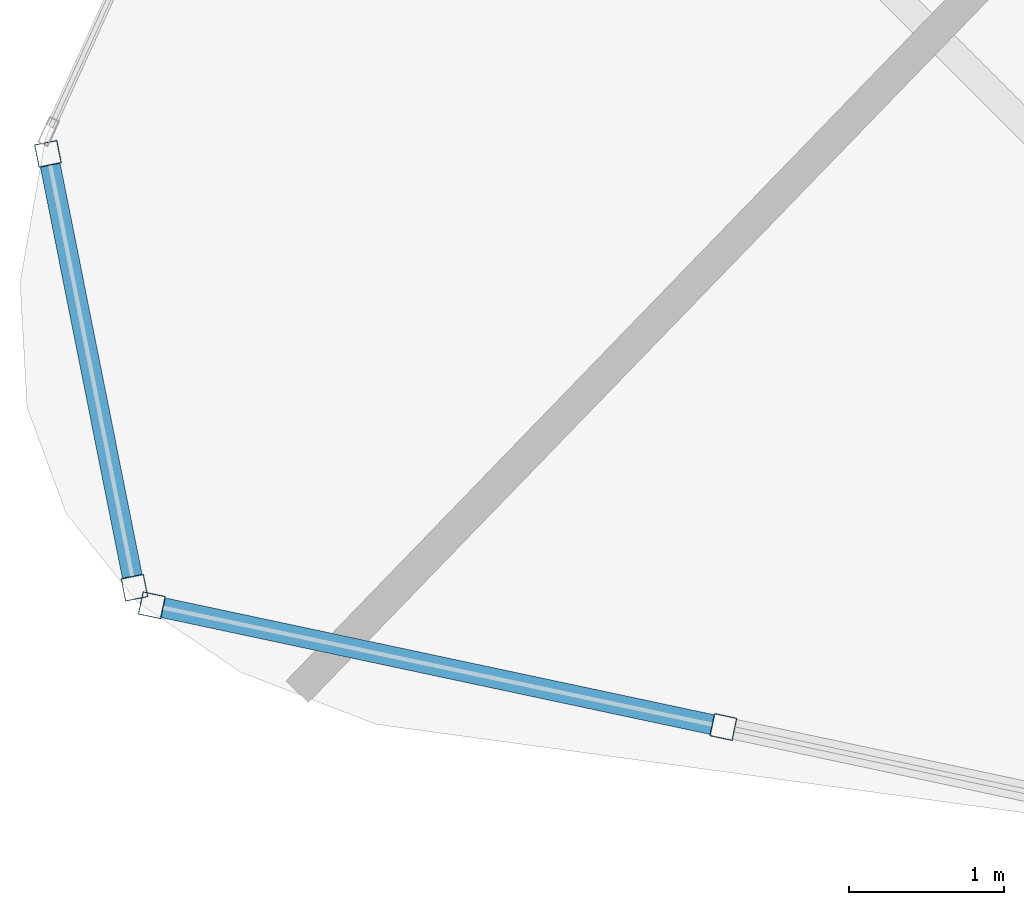
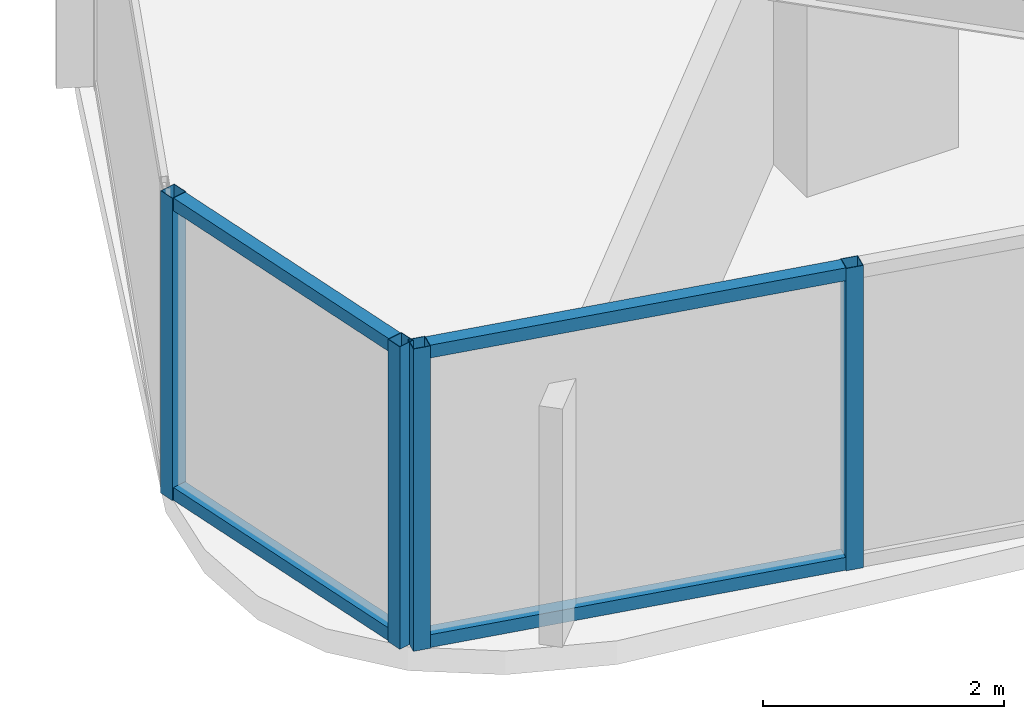
# One storey, part 2 of 31: 8 members, 2 elements without a shape of their own.
"""IFC4 building model written with IfcOpenShell, lengths in metres."""

from ifc_helpers import new_model, si_unit, direction, frame, origin, origin_2d, place, context, subcontext, project, spatial, hollow_rectangle, extrude, material, layer, layer_set, material_profile, profile_set, type_object, element, aggregate, save


model = new_model("IFC4")

# Units and contexts
model_context = context("Model", 3, precision=1e-05, world=origin(), true_north=direction((0.0, 1.0)))
body_context = subcontext(model_context, "Body", "Model", "MODEL_VIEW")
ifc_project = project(units=[si_unit("LENGTHUNIT", "METRE"), si_unit("AREAUNIT", "SQUARE_METRE"), si_unit("VOLUMEUNIT", "CUBIC_METRE"), si_unit("PLANEANGLEUNIT", "RADIAN"), si_unit("MASSUNIT", "GRAM", prefix="KILO")], contexts=[model_context])

# Site, building, storey
site_placement = place(None, origin())
site = spatial("IfcSite", under=ifc_project, at=site_placement, CompositionType="ELEMENT")
building_placement = place(site_placement, origin())
building = spatial("IfcBuilding", under=site, at=building_placement, Name="Orvanel Arch Residences", CompositionType="ELEMENT")
storey_placement = place(building_placement, frame((0.0, 0.0, 110.0)))
storey = spatial("IfcBuildingStorey", under=building, at=storey_placement, Name="L30", CompositionType="ELEMENT", Elevation=110.0)

# Curtain wall, members
ifc_material = material(Name="Bronze-anodised aluminium AA6063-T6", Category="aluminium")
ifc_layer = layer(ifc_material, 0.18994140625)
ifc_layer_set = layer_set([ifc_layer], Name="Bronze-anodised aluminium AA6063-T6")
curtain_wall_type = type_object("IfcCurtainWallType", Name="CW5-CRN-SYS", PredefinedType="NOTDEFINED", material=ifc_layer_set)
curtain_wall_1_placement = place(storey_placement, origin())
curtain_wall_1 = element("IfcCurtainWall", 1, at=curtain_wall_1_placement, inside=storey, type_object=curtain_wall_type, Name="L30 CW5-CRN-SYS Unitised Curtain Wall", PredefinedType="NOTDEFINED")
ifc_material_profile_1 = material_profile(ifc_material, hollow_rectangle(XDim=0.14990234375, YDim=0.14990234375, WallThickness=0.0048828125, at=origin_2d()), Name="ALU150x150x5")
ifc_profile_set_1 = profile_set([ifc_material_profile_1], Name="Bronze-anodised aluminium AA6063-T6")
member_type_1 = type_object("IfcMemberType", Name="MUL-150x150", PredefinedType="MULLION", material=ifc_profile_set_1)
member_1_placement = place(storey_placement, frame((6.78564453125, 8.54736328125, 0.0), z_axis=(0.0, 0.0, 1.0), x_axis=(0.980695620898, 0.195540530712, 0.0)))
member_1 = element("IfcMember", 2, at=member_1_placement, type_object=member_type_1, Name="CW-S5 mullion 1", PredefinedType="MULLION", context=body_context, shape_type="SweptSolid", body=[
    extrude(hollow_rectangle(XDim=0.14990234375, YDim=0.14990234375, WallThickness=0.0048828125, at=origin_2d()), origin(), (0.0, 0.0, 1.0), 3.06005859375),
])
member_2_placement = place(storey_placement, frame((7.34423828125, 5.74560546875, 0.0), z_axis=(0.0, 0.0, 1.0), x_axis=(0.980695620898, 0.195540530712, 0.0)))
member_2 = element("IfcMember", 3, at=member_2_placement, type_object=member_type_1, Name="CW-S5 mullion 2", PredefinedType="MULLION", context=body_context, shape_type="SweptSolid", body=[
    extrude(hollow_rectangle(XDim=0.14990234375, YDim=0.14990234375, WallThickness=0.0048828125, at=origin_2d()), origin(), (0.0, 0.0, 1.0), 3.06005859375),
])

curtain_wall_2_placement = place(storey_placement, origin())
curtain_wall_2 = element("IfcCurtainWall", 4, at=curtain_wall_2_placement, inside=storey, type_object=curtain_wall_type, Name="L30 CW5-CRN-SYS Unitised Curtain Wall", PredefinedType="NOTDEFINED")
member_3_placement = place(storey_placement, frame((7.456298828125, 5.63232421875, 0.0), z_axis=(0.0, 0.0, 1.0), x_axis=(0.208295433244, 0.978065955082, 0.0)))
member_3 = element("IfcMember", 5, at=member_3_placement, type_object=member_type_1, Name="CW-S5 mullion 1", PredefinedType="MULLION", context=body_context, shape_type="SweptSolid", body=[
    extrude(hollow_rectangle(XDim=0.14990234375, YDim=0.14990234375, WallThickness=0.0048828125, at=origin_2d()), origin(), (0.0, 0.0, 1.0), 3.06005859375),
])
member_4_placement = place(storey_placement, frame((11.146484375, 4.846435546875, 0.0), z_axis=(0.0, 0.0, 1.0), x_axis=(0.208295433244, 0.978065955082, 0.0)))
member_4 = element("IfcMember", 6, at=member_4_placement, type_object=member_type_1, Name="CW-S5 mullion 2", PredefinedType="MULLION", context=body_context, shape_type="SweptSolid", body=[
    extrude(hollow_rectangle(XDim=0.14990234375, YDim=0.14990234375, WallThickness=0.0048828125, at=origin_2d()), origin(), (0.0, 0.0, 1.0), 3.06005859375),
])

# Member
ifc_material_profile_2 = material_profile(ifc_material, hollow_rectangle(XDim=0.1298828125, YDim=0.1298828125, WallThickness=0.00439453125, at=origin_2d()), Name="ALU130x130x4.5")
ifc_profile_set_2 = profile_set([ifc_material_profile_2], Name="Bronze-anodised aluminium AA6063-T6")
member_type_2 = type_object("IfcMemberType", Name="TRN-130x130", PredefinedType="USERDEFINED", material=ifc_profile_set_2)
member_5_placement = place(storey_placement, frame((6.80029296875, 8.473876953125, 0.06494140625), z_axis=(0.195526412441, -0.980698435829, 0.0), x_axis=(0.980698435829, 0.195526412441, 0.0)))
member_5 = element("IfcMember", 7, at=member_5_placement, type_object=member_type_2, Name="CW-S5 transom 1.1", ObjectType="TRANSOM", PredefinedType="USERDEFINED", context=body_context, shape_type="SweptSolid", body=[
    extrude(hollow_rectangle(XDim=0.1298828125, YDim=0.1298828125, WallThickness=0.00439453125, at=origin_2d()), origin(), (0.0, 0.0, 1.0), 2.70703125),
])

member_6_placement = place(storey_placement, frame((6.80029296875, 8.473876953125, 2.9951171875), z_axis=(0.195526412441, -0.980698435829, 0.0), x_axis=(0.980698435829, 0.195526412441, 0.0)))
member_6 = element("IfcMember", 8, at=member_6_placement, type_object=member_type_2, Name="CW-S5 transom 1.2", ObjectType="TRANSOM", PredefinedType="USERDEFINED", context=body_context, shape_type="SweptSolid", body=[
    extrude(hollow_rectangle(XDim=0.1298828125, YDim=0.1298828125, WallThickness=0.00439453125, at=origin_2d()), origin(), (0.0, 0.0, 1.0), 2.70703125),
])

aggregate(curtain_wall_1, [member_1, member_2, member_5, member_6])

member_7_placement = place(storey_placement, frame((7.52978515625, 5.61669921875, 0.06494140625), z_axis=(0.978065927724, -0.208295561705, 0.0), x_axis=(0.208295561705, 0.978065927724, 0.0)))
member_7 = element("IfcMember", 9, at=member_7_placement, type_object=member_type_2, Name="CW-S5 transom 1.1", ObjectType="TRANSOM", PredefinedType="USERDEFINED", context=body_context, shape_type="SweptSolid", body=[
    extrude(hollow_rectangle(XDim=0.1298828125, YDim=0.1298828125, WallThickness=0.00439453125, at=origin_2d()), origin(), (0.0, 0.0, 1.0), 3.622802734375),
])

member_8_placement = place(storey_placement, frame((7.52978515625, 5.61669921875, 2.9951171875), z_axis=(0.978065927724, -0.208295561705, 0.0), x_axis=(0.208295561705, 0.978065927724, 0.0)))
member_8 = element("IfcMember", 10, at=member_8_placement, type_object=member_type_2, Name="CW-S5 transom 1.2", ObjectType="TRANSOM", PredefinedType="USERDEFINED", context=body_context, shape_type="SweptSolid", body=[
    extrude(hollow_rectangle(XDim=0.1298828125, YDim=0.1298828125, WallThickness=0.00439453125, at=origin_2d()), origin(), (0.0, 0.0, 1.0), 3.622802734375),
])

aggregate(curtain_wall_2, [member_3, member_4, member_7, member_8])

save(model, "model.ifc")
